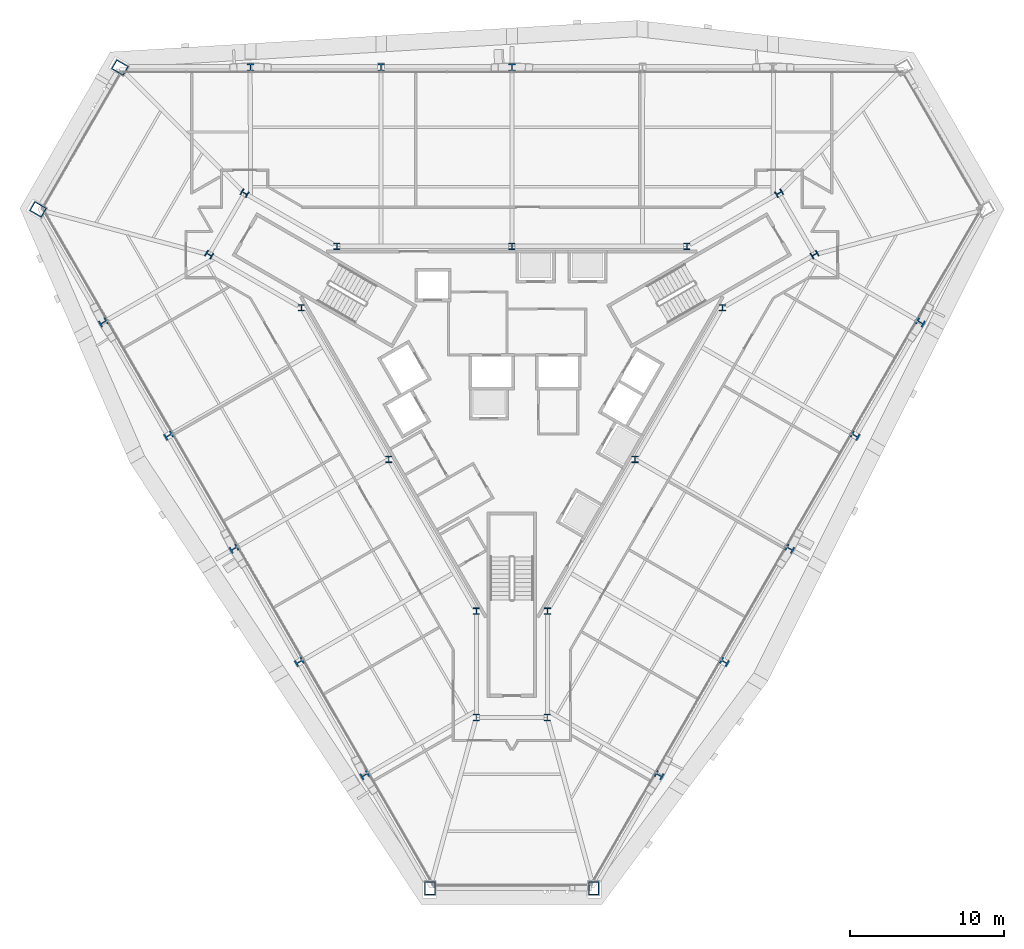
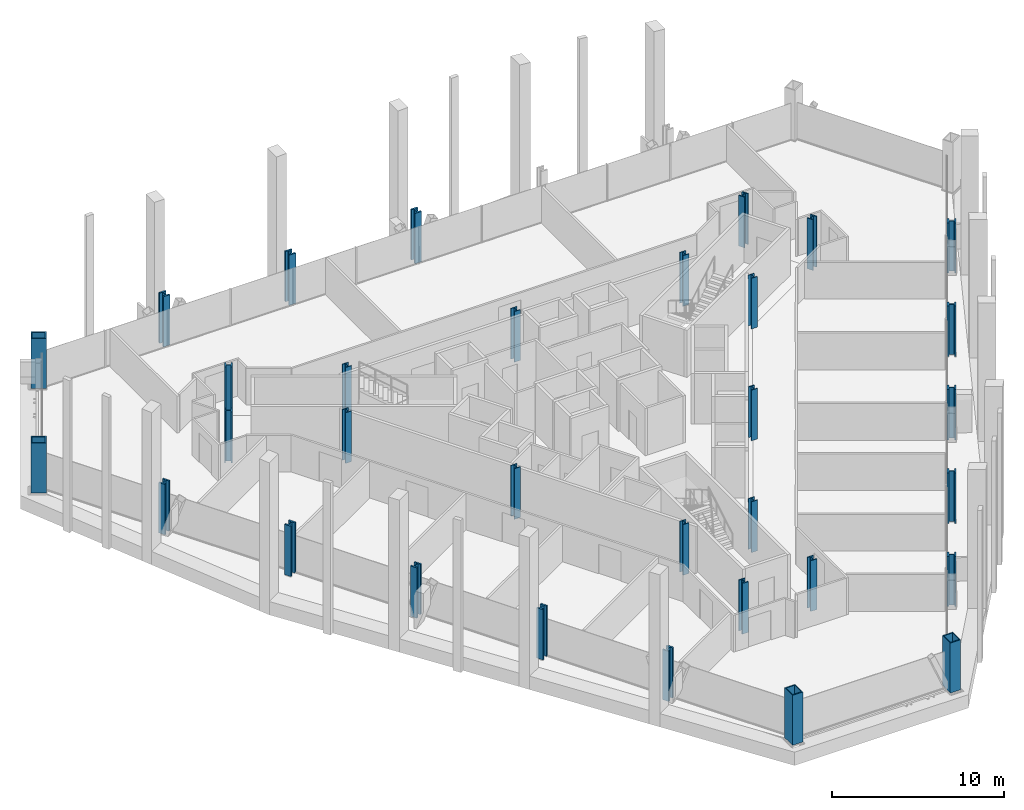
# One storey, part 1 of 16: 32 columns.
"""IFC4 building model written with IfcOpenShell, lengths in metres."""

import ifcopenshell
import ifcopenshell.guid

model = None  # the IFC model being written
_history = None  # IfcOwnerHistory: only IFC2X3 demands one
_inside = {}  # id of a spatial element -> (the spatial element, [elements in it])
_under = {}  # id of a project, library or spatial element -> (it, [spatial elements below it])
_declared = {}  # id of a project -> (the project, [libraries it declares])
_typed = {}  # id of a type object -> (the type object, [elements of that type])
_made_of = {}  # id of a material, layer set ... -> (it, [elements and type objects made of it])


def new_model(schema):
    """Start an empty IFC model of exactly this schema.

    Asked for "IFC4X3", IfcOpenShell would pick the latest addendum, in which some entities
    have other attributes; the version numbers below select the first issue.
    IFC2X3 requires an IfcOwnerHistory on every rooted entity: one is made here for all.
    """
    global model, _history
    if schema == "IFC4X3":
        model = ifcopenshell.file(schema_version=(4, 3, 0, 0))
    else:
        model = ifcopenshell.file(schema=schema)
    _inside.clear()
    _under.clear()
    _declared.clear()
    _typed.clear()
    _made_of.clear()
    _history = None
    if model.schema == "IFC2X3":
        org = make("IfcOrganization", Name="unknown")
        user = make(
            "IfcPersonAndOrganization",
            ThePerson=make("IfcPerson", FamilyName="unknown"),
            TheOrganization=org,
        )
        app = make(
            "IfcApplication",
            ApplicationDeveloper=org,
            Version="unknown",
            ApplicationFullName="unknown",
            ApplicationIdentifier="unknown",
        )
        _history = make(
            "IfcOwnerHistory",
            OwningUser=user,
            OwningApplication=app,
            ChangeAction="ADDED",
            CreationDate=0,
        )
    return model


def make(cls, **values):
    """One entity of the class cls with the attributes given. An attribute that is None is left unset."""
    return model.create_entity(
        cls, **{name: value for name, value in values.items() if value is not None}
    )


def rooted(cls, **values):
    """An entity with a GlobalId (a new one), such as an element, a storey or a relation."""
    return make(cls, GlobalId=ifcopenshell.guid.new(), OwnerHistory=_history, **values)


def si_unit(unit_type, name, prefix=None):
    """IfcSIUnit, for example si_unit("LENGTHUNIT", "METRE", prefix="MILLI")."""
    return make("IfcSIUnit", UnitType=unit_type, Prefix=prefix, Name=name)


def assignment(units):
    """IfcUnitAssignment: the units of a project."""
    return None if units is None else make("IfcUnitAssignment", Units=units)


def point(xyz):
    """IfcCartesianPoint."""
    return None if xyz is None else make("IfcCartesianPoint", Coordinates=xyz)


def direction(xyz):
    """IfcDirection."""
    return None if xyz is None else make("IfcDirection", DirectionRatios=xyz)


def frame(location, z_axis=None, x_axis=None):
    """IfcAxis2Placement3D, a coordinate frame: its origin and axes. An axis left out is left unset."""
    return make(
        "IfcAxis2Placement3D",
        Location=point(location),
        Axis=direction(z_axis),
        RefDirection=direction(x_axis),
    )


def frame_2d(location, x_axis=None):
    """IfcAxis2Placement2D, a coordinate frame in the plane: its origin and x axis."""
    return make(
        "IfcAxis2Placement2D", Location=point(location), RefDirection=direction(x_axis)
    )


def origin():
    """The frame at (0, 0, 0) with its axes left unset."""
    return frame((0.0, 0.0, 0.0))


def origin_2d():
    """The frame at (0, 0) in the plane with its x axis left unset."""
    return frame_2d((0.0, 0.0))


def place(relative_to, where):
    """IfcLocalPlacement: puts the frame where relative to a parent placement (None: the world)."""
    return make(
        "IfcLocalPlacement", PlacementRelTo=relative_to, RelativePlacement=where
    )


def context(
    kind, dimensions, precision=None, world=None, true_north=None, identifier=None
):
    """IfcGeometricRepresentationContext, for example the 3D "Model" context."""
    return make(
        "IfcGeometricRepresentationContext",
        ContextIdentifier=identifier,
        ContextType=kind,
        CoordinateSpaceDimension=dimensions,
        Precision=precision,
        WorldCoordinateSystem=world,
        TrueNorth=true_north,
    )


def subcontext(parent, identifier, kind, view, scale=None):
    """IfcGeometricRepresentationSubContext, for example "Body" below "Model"."""
    return make(
        "IfcGeometricRepresentationSubContext",
        ContextIdentifier=identifier,
        ContextType=kind,
        ParentContext=parent,
        TargetScale=scale,
        TargetView=view,
    )


def project(units=None, contexts=None):
    """IfcProject with its units and contexts."""
    return rooted(
        "IfcProject",
        Name="project",
        RepresentationContexts=contexts,
        UnitsInContext=assignment(units),
    )


def spatial(cls, under=None, at=None, **own):
    """A site, building, storey or space (cls), placed at a placement, below another one or the project."""
    s = rooted(cls, ObjectPlacement=at, **own)
    if under is not None:
        _under.setdefault(under.id(), (under, []))[1].append(s)
    return s


def profile(cls, at=None, kind="AREA", **sizes):
    """A parametric profile (cls). Its sizes go by their IFC names, for example OverallWidth=200.0."""
    return make(cls, ProfileType=kind, Position=at, **sizes)


def hollow_rectangle(**sizes):
    """IfcRectangleHollowProfileDef."""
    return profile("IfcRectangleHollowProfileDef", **sizes)


def i_section(**sizes):
    """IfcIShapeProfileDef."""
    return profile("IfcIShapeProfileDef", **sizes)


def extrude(swept, where, along, depth):
    """IfcExtrudedAreaSolid: the profile swept, set in the frame where, extruded along a direction by depth."""
    return make(
        "IfcExtrudedAreaSolid",
        SweptArea=swept,
        Position=where,
        ExtrudedDirection=direction(along),
        Depth=depth,
    )


def shape(context_of_items, identifier, shape_type, items):
    """IfcShapeRepresentation: the items that make up one representation, for example the "Body"."""
    return make(
        "IfcShapeRepresentation",
        ContextOfItems=context_of_items,
        RepresentationIdentifier=identifier,
        RepresentationType=shape_type,
        Items=items,
    )


def material(Name=None, Category=None):
    """IfcMaterial."""
    return make("IfcMaterial", Name=Name, Category=Category)


def material_profile(
    of_material, cross_section, Name=None, Category=None, Priority=None
):
    """IfcMaterialProfile: a cross section and its material."""
    return make(
        "IfcMaterialProfile",
        Name=Name,
        Material=of_material,
        Profile=cross_section,
        Priority=Priority,
        Category=Category,
    )


def profile_set(profiles, Name=None, composite=None):
    """IfcMaterialProfileSet."""
    return make(
        "IfcMaterialProfileSet",
        Name=Name,
        MaterialProfiles=profiles,
        CompositeProfile=composite,
    )


def made_of(thing, what):
    """Note that an element or type object is made of a material, layer set ...; save() writes the relation."""
    if what is not None:
        _made_of.setdefault(what.id(), (what, []))[1].append(thing)
    return thing


def type_object(cls, material=None, **own):
    """A type object (cls), such as IfcWallType, which elements share."""
    return made_of(rooted(cls, **own), material)


def element(
    cls,
    number,
    at=None,
    inside=None,
    cuts=None,
    type_object=None,
    material=None,
    context=None,
    identifier="Body",
    shape_type=None,
    held_by="IfcProductDefinitionShape",
    body=None,
    shapes=None,
    **own,
):
    """One element of the class cls, such as IfcWall. Its Tag is "e" and its number.

    at: its placement. inside: the storey or other place that contains it. cuts: it is an
    opening in that element (IfcRelVoidsElement). A single representation is given by context,
    identifier, shape_type and body (its items); several are given by shapes. held_by: the class
    of the entity that holds the representations. save() writes the other relations.
    """
    e = rooted(cls, Tag="e%d" % number, ObjectPlacement=at, **own)
    if body is not None:
        shapes = [shape(context, identifier, shape_type, body)]
    if shapes is not None:
        e.Representation = make(held_by, Representations=shapes)
    if inside is not None:
        _inside.setdefault(inside.id(), (inside, []))[1].append(e)
    if cuts is not None:
        rooted(
            "IfcRelVoidsElement", RelatingBuildingElement=cuts, RelatedOpeningElement=e
        )
    if type_object is not None:
        _typed.setdefault(type_object.id(), (type_object, []))[1].append(e)
    return made_of(e, material)


def aggregate(whole, parts):
    """IfcRelAggregates: a whole, such as a stair, and the parts it consists of."""
    return rooted("IfcRelAggregates", RelatingObject=whole, RelatedObjects=parts)


def save(model, path):
    """Write the relations noted so far, then the file.

    IfcRelAggregates (storeys below a building ...), IfcRelContainedInSpatialStructure (elements
    in a storey), IfcRelDefinesByType, IfcRelAssociatesMaterial and IfcRelDeclares: one each for
    every whole, place, type object, material and project.
    """
    for whole, parts in _under.values():
        aggregate(whole, parts)
    for where, things in _inside.values():
        rooted(
            "IfcRelContainedInSpatialStructure",
            RelatedElements=things,
            RelatingStructure=where,
        )
    for kind, things in _typed.values():
        rooted("IfcRelDefinesByType", RelatedObjects=things, RelatingType=kind)
    for what, things in _made_of.values():
        rooted("IfcRelAssociatesMaterial", RelatedObjects=things, RelatingMaterial=what)
    for by, libraries in _declared.values():
        rooted("IfcRelDeclares", RelatingContext=by, RelatedDefinitions=libraries)
    model.write(path)


model = new_model("IFC4")

# Units and contexts
model_context = context("Model", 3, precision=1e-05, world=origin(), true_north=direction((0.0, 1.0)))
body_context = subcontext(model_context, "Body", "Model", "MODEL_VIEW")
ifc_project = project(units=[si_unit("LENGTHUNIT", "METRE"), si_unit("AREAUNIT", "SQUARE_METRE"), si_unit("VOLUMEUNIT", "CUBIC_METRE"), si_unit("PLANEANGLEUNIT", "RADIAN"), si_unit("MASSUNIT", "GRAM", prefix="KILO")], contexts=[model_context])

# Site, building, storey
site_placement = place(None, origin())
site = spatial("IfcSite", under=ifc_project, at=site_placement, CompositionType="ELEMENT")
building_placement = place(site_placement, origin())
building = spatial("IfcBuilding", under=site, at=building_placement, Name="Verrane Prism Tower", CompositionType="ELEMENT")
storey_placement = place(building_placement, frame((0.0, 0.0, 36.800048828125)))
storey = spatial("IfcBuildingStorey", under=building, at=storey_placement, Name="L06", CompositionType="ELEMENT", Elevation=36.800048828125)

# Columns
ifc_material_1 = material(Name="Steel A992", Category="steel")
ifc_material_profile_1 = material_profile(ifc_material_1, i_section(OverallWidth=0.419189453125, OverallDepth=0.45458984375, WebThickness=0.042236328125, FlangeThickness=0.067626953125, FilletRadius=0.01513671875, at=origin_2d()), Name="W14x370")
ifc_profile_set_1 = profile_set([ifc_material_profile_1], Name="Steel A992")
column_type_1 = type_object("IfcColumnType", Name="Core corner column W14x370", PredefinedType="COLUMN", material=ifc_profile_set_1)
for number, where, z_axis, x_axis, name in (
    (1, (19.60009765625, 8.659912109375, 0.0), (0.0, 0.0, 1.0), (0.5, -0.866025403784, 0.0), "Core corner column CK-NEm L06"),
    (2, (17.300048828125, 12.639892578125, 0.0), (0.0, 0.0, 1.0), (0.5, -0.866025403784, 0.0), "Core corner column CK-NEp L06"),
    (3, (-17.300048828125, 12.639892578125, 0.0), (0.0, 0.0, 1.0), (0.5, 0.866025403784, 0.0), "Core corner column CK-NWm L06"),
    (4, (-19.60009765625, 8.659912109375, 0.0), (0.0, 0.0, 1.0), (0.5, 0.866025403784, 0.0), "Core corner column CK-NWp L06"),
    (5, (-2.300048828125, -21.300048828125, 0.0), (0.0, 0.0, 1.0), (-1.0, 0.0, 0.0), "Core corner column CK-Sm L06"),
    (6, (2.300048828125, -21.300048828125, 0.0), (0.0, 0.0, 1.0), (-1.0, 0.0, 0.0), "Core corner column CK-Sp L06"),
):
    element("IfcColumn", number, at=place(storey_placement, frame(where, z_axis=z_axis, x_axis=x_axis)), inside=storey, type_object=column_type_1, Name=name, PredefinedType="COLUMN", context=body_context, shape_type="SweptSolid", body=[
        extrude(i_section(OverallWidth=0.419189453125, OverallDepth=0.45458984375, WebThickness=0.042236328125, FlangeThickness=0.067626953125, FilletRadius=0.01513671875, at=origin_2d()), origin(), (0.0, 0.0, 1.0), 3.599853515625),
    ])
ifc_material_2 = material(Name="Steel A992", Category="steel")
ifc_material_profile_2 = material_profile(ifc_material_2, i_section(OverallWidth=0.406494140625, OverallDepth=0.41650390625, WebThickness=0.030029296875, FlangeThickness=0.048095703125, FilletRadius=0.01513671875, at=origin_2d()), Name="W14x257")
ifc_profile_set_2 = profile_set([ifc_material_profile_2], Name="Steel A992")
column_type_2 = type_object("IfcColumnType", Name="Core side column W14x257", PredefinedType="COLUMN", material=ifc_profile_set_2)
for number, where, z_axis, x_axis, name in (
    (7, (13.6298828125, 5.219970703125, 0.0), (0.0, 0.0, 1.0), (1.0, 0.0, 0.0), "Core side column CC-NEm L06"),
    (8, (11.330078125, 9.199951171875, 0.0), (0.0, 0.0, 1.0), (1.0, 0.0, 0.0), "Core side column CC-NEp L06"),
    (9, (0.0, 9.199951171875, 0.0), (0.0, 0.0, 1.0), (1.0, 0.0, 0.0), "Core side column CC-N0 L06"),
    (10, (-11.330078125, 9.199951171875, 0.0), (0.0, 0.0, 1.0), (1.0, 0.0, 0.0), "Core side column CC-NWm L06"),
    (11, (-13.6298828125, 5.219970703125, 0.0), (0.0, 0.0, 1.0), (1.0, 0.0, 0.0), "Core side column CC-NWp L06"),
    (12, (-7.969970703125, -4.60009765625, 0.0), (0.0, 0.0, 1.0), (1.0, 0.0, 0.0), "Core side column CC-SW0 L06"),
    (13, (-2.300048828125, -14.419921875, 0.0), (0.0, 0.0, 1.0), (1.0, 0.0, 0.0), "Core side column CC-Sm L06"),
    (14, (2.300048828125, -14.419921875, 0.0), (0.0, 0.0, 1.0), (1.0, 0.0, 0.0), "Core side column CC-Sp L06"),
    (15, (7.969970703125, -4.60009765625, 0.0), (0.0, 0.0, 1.0), (1.0, 0.0, 0.0), "Core side column CC-SE0 L06"),
):
    element("IfcColumn", number, at=place(storey_placement, frame(where, z_axis=z_axis, x_axis=x_axis)), inside=storey, type_object=column_type_2, Name=name, PredefinedType="COLUMN", context=body_context, shape_type="SweptSolid", body=[
        extrude(i_section(OverallWidth=0.406494140625, OverallDepth=0.41650390625, WebThickness=0.030029296875, FlangeThickness=0.048095703125, FilletRadius=0.01513671875, at=origin_2d()), origin(), (0.0, 0.0, 1.0), 3.599853515625),
    ])
ifc_material_3 = material(Name="Steel A572 Grade 50", Category="steel")
ifc_material_profile_3 = material_profile(ifc_material_3, hollow_rectangle(XDim=0.699951171875, YDim=0.89990234375, WallThickness=0.06494140625, at=origin_2d()), Name="BOX 900x700x65")
ifc_profile_set_3 = profile_set([ifc_material_profile_3], Name="Steel A572 Grade 50")
column_type_3 = type_object("IfcColumnType", Name="Megacolumn BOX 900x700x65", PredefinedType="COLUMN", material=ifc_profile_set_3)
for number, where, z_axis, x_axis, name in (
    (16, (-25.3701171875, 20.77001953125, 0.044921875), (0.0, 0.0, 1.0), (0.5, 0.866025403784, 0.0), "Megacolumn MC-NW.a L06"),
    (17, (-30.669921875, 11.590087890625, 0.044921875), (0.0, 0.0, 1.0), (0.5, 0.866025403784, 0.0), "Megacolumn MC-NW.b L06"),
    (18, (-5.300048828125, -32.360107421875, 0.044921875), (0.0, 0.0, 1.0), (-1.0, 0.0, 0.0), "Megacolumn MC-S.a L06"),
    (19, (5.300048828125, -32.360107421875, 0.044921875), (0.0, 0.0, 1.0), (-1.0, 0.0, 0.0), "Megacolumn MC-S.b L06"),
):
    element("IfcColumn", number, at=place(storey_placement, frame(where, z_axis=z_axis, x_axis=x_axis)), inside=storey, type_object=column_type_3, Name=name, PredefinedType="COLUMN", context=body_context, shape_type="SweptSolid", body=[
        extrude(hollow_rectangle(XDim=0.699951171875, YDim=0.89990234375, WallThickness=0.06494140625, at=origin_2d()), origin(), (0.0, 0.0, 1.0), 3.554931640625),
    ])
ifc_material_4 = material(Name="Steel A992", Category="steel")
ifc_material_profile_4 = material_profile(ifc_material_4, i_section(OverallWidth=0.44189453125, OverallDepth=0.53076171875, WebThickness=0.06591796875, FlangeThickness=0.105712890625, FilletRadius=0.01513671875, at=origin_2d()), Name="W14x605")
ifc_profile_set_4 = profile_set([ifc_material_profile_4], Name="Steel A992")
column_type_4 = type_object("IfcColumnType", Name="Perimeter column W14x605", PredefinedType="COLUMN", material=ifc_profile_set_4)
for number, where, z_axis, x_axis, name in (
    (20, (0.0, 20.77001953125, 0.02490234375), (0.0, 0.0, 1.0), (1.0, 0.0, 0.0), "Perimeter column PC-N3 L06"),
    (21, (-8.4599609375, 20.77001953125, 0.02490234375), (0.0, 0.0, 1.0), (1.0, 0.0, 0.0), "Perimeter column PC-N4 L06"),
):
    element("IfcColumn", number, at=place(storey_placement, frame(where, z_axis=z_axis, x_axis=x_axis)), inside=storey, type_object=column_type_4, Name=name, PredefinedType="COLUMN", context=body_context, shape_type="SweptSolid", body=[
        extrude(i_section(OverallWidth=0.44189453125, OverallDepth=0.53076171875, WebThickness=0.06591796875, FlangeThickness=0.105712890625, FilletRadius=0.01513671875, at=origin_2d()), origin(), (0.0, 0.0, 1.0), 3.574951171875),
    ])
for number, where, z_axis, x_axis, name in (
    (22, (-16.919921875, 20.77001953125, 0.030029296875), (0.0, 0.0, 1.0), (1.0, 0.0, 0.0), "Perimeter column PC-N5 L06"),
    (23, (-26.449951171875, 4.27001953125, 0.030029296875), (0.0, 0.0, 1.0), (-0.5, 0.866025403784, 0.0), "Perimeter column PC-SW1 L06"),
):
    element("IfcColumn", number, at=place(storey_placement, frame(where, z_axis=z_axis, x_axis=x_axis)), inside=storey, type_object=column_type_4, Name=name, PredefinedType="COLUMN", context=body_context, shape_type="SweptSolid", body=[
        extrude(i_section(OverallWidth=0.44189453125, OverallDepth=0.53076171875, WebThickness=0.06591796875, FlangeThickness=0.105712890625, FilletRadius=0.01513671875, at=origin_2d()), origin(), (0.0, 0.0, 1.0), 3.56982421875),
    ])
for number, where, z_axis, x_axis, name in (
    (24, (-22.219970703125, -3.06005859375, 0.02490234375), (0.0, 0.0, 1.0), (-0.5, 0.866025403784, 0.0), "Perimeter column PC-SW2 L06"),
    (25, (-17.989990234375, -10.3798828125, 0.02490234375), (0.0, 0.0, 1.0), (-0.5, 0.866025403784, 0.0), "Perimeter column PC-SW3 L06"),
    (26, (-13.760009765625, -17.7099609375, 0.02490234375), (0.0, 0.0, 1.0), (-0.5, 0.866025403784, 0.0), "Perimeter column PC-SW4 L06"),
):
    element("IfcColumn", number, at=place(storey_placement, frame(where, z_axis=z_axis, x_axis=x_axis)), inside=storey, type_object=column_type_4, Name=name, PredefinedType="COLUMN", context=body_context, shape_type="SweptSolid", body=[
        extrude(i_section(OverallWidth=0.44189453125, OverallDepth=0.53076171875, WebThickness=0.06591796875, FlangeThickness=0.105712890625, FilletRadius=0.01513671875, at=origin_2d()), origin(), (0.0, 0.0, 1.0), 3.574951171875),
    ])
for number, where, z_axis, x_axis, name in (
    (27, (-9.530029296875, -25.0400390625, 0.030029296875), (0.0, 0.0, 1.0), (-0.5, 0.866025403784, 0.0), "Perimeter column PC-SW5 L06"),
    (28, (9.530029296875, -25.0400390625, 0.030029296875), (0.0, 0.0, 1.0), (-0.5, -0.866025403784, 0.0), "Perimeter column PC-SE1 L06"),
):
    element("IfcColumn", number, at=place(storey_placement, frame(where, z_axis=z_axis, x_axis=x_axis)), inside=storey, type_object=column_type_4, Name=name, PredefinedType="COLUMN", context=body_context, shape_type="SweptSolid", body=[
        extrude(i_section(OverallWidth=0.44189453125, OverallDepth=0.53076171875, WebThickness=0.06591796875, FlangeThickness=0.105712890625, FilletRadius=0.01513671875, at=origin_2d()), origin(), (0.0, 0.0, 1.0), 3.56982421875),
    ])
for number, where, z_axis, x_axis, name in (
    (29, (13.760009765625, -17.7099609375, 0.02490234375), (0.0, 0.0, 1.0), (-0.5, -0.866025403784, 0.0), "Perimeter column PC-SE2 L06"),
    (30, (17.989990234375, -10.3798828125, 0.02490234375), (0.0, 0.0, 1.0), (-0.5, -0.866025403784, 0.0), "Perimeter column PC-SE3 L06"),
    (31, (22.219970703125, -3.06005859375, 0.02490234375), (0.0, 0.0, 1.0), (-0.5, -0.866025403784, 0.0), "Perimeter column PC-SE4 L06"),
):
    element("IfcColumn", number, at=place(storey_placement, frame(where, z_axis=z_axis, x_axis=x_axis)), inside=storey, type_object=column_type_4, Name=name, PredefinedType="COLUMN", context=body_context, shape_type="SweptSolid", body=[
        extrude(i_section(OverallWidth=0.44189453125, OverallDepth=0.53076171875, WebThickness=0.06591796875, FlangeThickness=0.105712890625, FilletRadius=0.01513671875, at=origin_2d()), origin(), (0.0, 0.0, 1.0), 3.574951171875),
    ])
column_placement = place(storey_placement, frame((26.449951171875, 4.27001953125, 0.030029296875), z_axis=(0.0, 0.0, 1.0), x_axis=(-0.5, -0.866025403784, 0.0)))
element("IfcColumn", 32, at=column_placement, inside=storey, type_object=column_type_4, Name="Perimeter column PC-SE5 L06", PredefinedType="COLUMN", context=body_context, shape_type="SweptSolid", body=[
    extrude(i_section(OverallWidth=0.44189453125, OverallDepth=0.53076171875, WebThickness=0.06591796875, FlangeThickness=0.105712890625, FilletRadius=0.01513671875, at=origin_2d()), origin(), (0.0, 0.0, 1.0), 3.56982421875),
])

save(model, "model.ifc")
